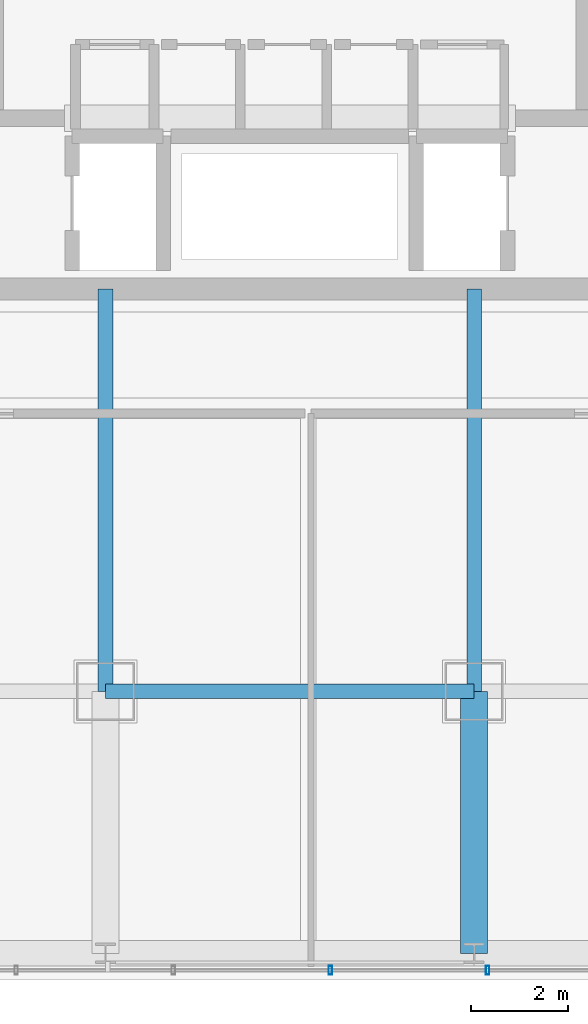
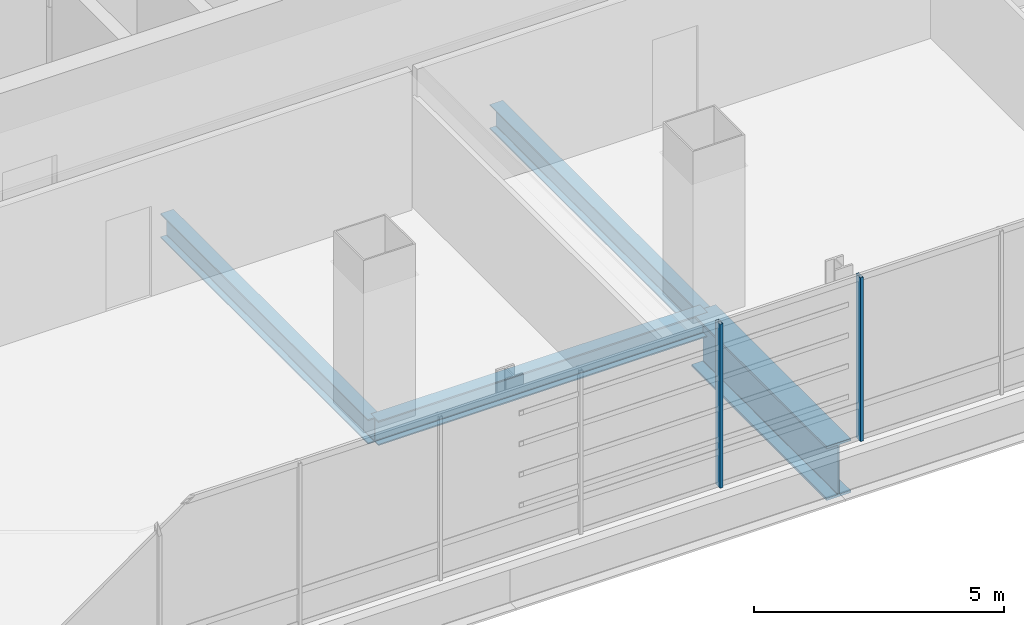
# One storey, part 9 of 43: 4 beams, 2 members, 1 element without a shape of its own.
"""IFC4 building model written with IfcOpenShell, lengths in metres."""

from ifc_helpers import new_model, si_unit, direction, frame, origin, origin_2d, place, context, subcontext, project, spatial, hollow_rectangle, i_section, extrude, material, material_profile, profile_set, type_object, element, aggregate, save


model = new_model("IFC4")

# Units and contexts
model_context = context("Model", 3, precision=1e-05, world=origin(), true_north=direction((0.0, 1.0)))
body_context = subcontext(model_context, "Body", "Model", "MODEL_VIEW")
ifc_project = project(units=[si_unit("LENGTHUNIT", "METRE"), si_unit("AREAUNIT", "SQUARE_METRE"), si_unit("VOLUMEUNIT", "CUBIC_METRE"), si_unit("PLANEANGLEUNIT", "RADIAN"), si_unit("MASSUNIT", "GRAM", prefix="KILO")], contexts=[model_context])

# Site, building, storey
site_placement = place(None, origin())
site = spatial("IfcSite", under=ifc_project, at=site_placement, CompositionType="ELEMENT")
building_placement = place(site_placement, origin())
building = spatial("IfcBuilding", under=site, at=building_placement, Name="Punatoya Terracotta Tower", CompositionType="ELEMENT")
storey_placement = place(building_placement, frame((0.0, 0.0, 321.60009765625)))
storey = spatial("IfcBuildingStorey", under=building, at=storey_placement, Name="L76", CompositionType="ELEMENT", Elevation=321.60009765625)

# Beams
ifc_material_1 = material(Name="Steel S355", Category="steel")
ifc_material_profile_1 = material_profile(ifc_material_1, i_section(OverallWidth=0.300048828125, OverallDepth=0.60009765625, WebThickness=0.015380859375, FlangeThickness=0.030029296875, FilletRadius=0.01806640625, at=origin_2d()))
ifc_profile_set_1 = profile_set([ifc_material_profile_1], Name="Steel S355")
beam_type_1 = type_object("IfcBeamType", Name="BM-PRI-600", PredefinedType="BEAM", material=ifc_profile_set_1)
beam_1_placement = place(storey_placement, frame((-3.800048828125, -17.5, -0.5), z_axis=(1.0, 0.0, 0.0), x_axis=(0.0, 1.0, 0.0)))
element("IfcBeam", 1, at=beam_1_placement, inside=storey, type_object=beam_type_1, Name="BM-L76-RG-S2", PredefinedType="BEAM", context=body_context, shape_type="SweptSolid", body=[
    extrude(i_section(OverallWidth=0.300048828125, OverallDepth=0.60009765625, WebThickness=0.015380859375, FlangeThickness=0.030029296875, FilletRadius=0.01806640625, at=origin_2d()), origin(), (0.0, 0.0, 1.0), 7.60009765625),
])
for number, where, z_axis, x_axis, name in (
    (2, (-3.800048828125, -17.5, -0.5), (0.0, 1.0, 0.0), (-1.0, 0.0, 0.0), "BM-L76-PR-S2"),
    (3, (3.800048828125, -17.5, -0.5), (0.0, 1.0, 0.0), (-1.0, 0.0, 0.0), "BM-L76-PR-S3"),
):
    element("IfcBeam", number, at=place(storey_placement, frame(where, z_axis=z_axis, x_axis=x_axis)), inside=storey, type_object=beam_type_1, Name=name, PredefinedType="BEAM", context=body_context, shape_type="SweptSolid", body=[
        extrude(i_section(OverallWidth=0.300048828125, OverallDepth=0.60009765625, WebThickness=0.015380859375, FlangeThickness=0.030029296875, FilletRadius=0.01806640625, at=origin_2d()), origin(), (0.0, 0.0, 1.0), 8.300048828125),
    ])
ifc_material_2 = material(Name="Steel S460", Category="steel")
ifc_material_profile_2 = material_profile(ifc_material_2, i_section(OverallWidth=0.56005859375, OverallDepth=1.320068359375, WebThickness=0.035888671875, FlangeThickness=0.054931640625, FilletRadius=0.01806640625, at=origin_2d()))
ifc_profile_set_2 = profile_set([ifc_material_profile_2], Name="Steel S460")
beam_type_2 = type_object("IfcBeamType", Name="BM-TG-BLK", PredefinedType="BEAM", material=ifc_profile_set_2)
beam_2_placement = place(storey_placement, frame((3.800048828125, -22.89990234375, -0.860107421875), z_axis=(0.0, 1.0, 0.0), x_axis=(-1.0, 0.0, 0.0)))
element("IfcBeam", 4, at=beam_2_placement, inside=storey, type_object=beam_type_2, Name="BM-L76-CANT-S3", PredefinedType="BEAM", context=body_context, shape_type="SweptSolid", body=[
    extrude(i_section(OverallWidth=0.56005859375, OverallDepth=1.320068359375, WebThickness=0.035888671875, FlangeThickness=0.054931640625, FilletRadius=0.01806640625, at=origin_2d()), origin(), (0.0, 0.0, 1.0), 5.39990234375),
])

# Curtain wall, members
ifc_material_3 = material(Name="Aluminium 6063-T6 + Double Low-E Glass", Category="aluminium")
curtain_wall_type = type_object("IfcCurtainWallType", Name="CW-OBS", PredefinedType="NOTDEFINED", material=ifc_material_3)
curtain_wall_placement = place(storey_placement, origin())
curtain_wall = element("IfcCurtainWall", 5, at=curtain_wall_placement, inside=storey, type_object=curtain_wall_type, Name="L76 Curtain Wall CW-L76-S01-1", PredefinedType="NOTDEFINED")
ifc_material_4 = material(Name="Aluminium 6063-T6", Category="aluminium")
ifc_material_profile_3 = material_profile(ifc_material_4, hollow_rectangle(XDim=0.070068359375, YDim=0.179931640625, WallThickness=0.00390625, at=origin_2d()))
ifc_profile_set_3 = profile_set([ifc_material_profile_3], Name="Aluminium 6063-T6")
member_type = type_object("IfcMemberType", Name="CW-MUL-M3", PredefinedType="MULLION", material=ifc_profile_set_3)
member_1_placement = place(storey_placement, frame((0.839599609375, -23.25, 0.0), z_axis=(0.0, 0.0, 1.0), x_axis=(1.0, 0.0, 0.0)))
member_1 = element("IfcMember", 6, at=member_1_placement, type_object=member_type, Name="CW-L76-S01-1 Mullion 07", PredefinedType="MULLION", context=body_context, shape_type="SweptSolid", body=[
    extrude(hollow_rectangle(XDim=0.070068359375, YDim=0.179931640625, WallThickness=0.00390625, at=origin_2d()), origin(), (0.0, 0.0, 1.0), 4.0),
])
member_2_placement = place(storey_placement, frame((4.0791015625, -23.25, 0.0), z_axis=(0.0, 0.0, 1.0), x_axis=(1.0, 0.0, 0.0)))
member_2 = element("IfcMember", 7, at=member_2_placement, type_object=member_type, Name="CW-L76-S01-1 Mullion 08", PredefinedType="MULLION", context=body_context, shape_type="SweptSolid", body=[
    extrude(hollow_rectangle(XDim=0.070068359375, YDim=0.179931640625, WallThickness=0.00390625, at=origin_2d()), origin(), (0.0, 0.0, 1.0), 4.0),
])
aggregate(curtain_wall, [member_1, member_2])

save(model, "model.ifc")
